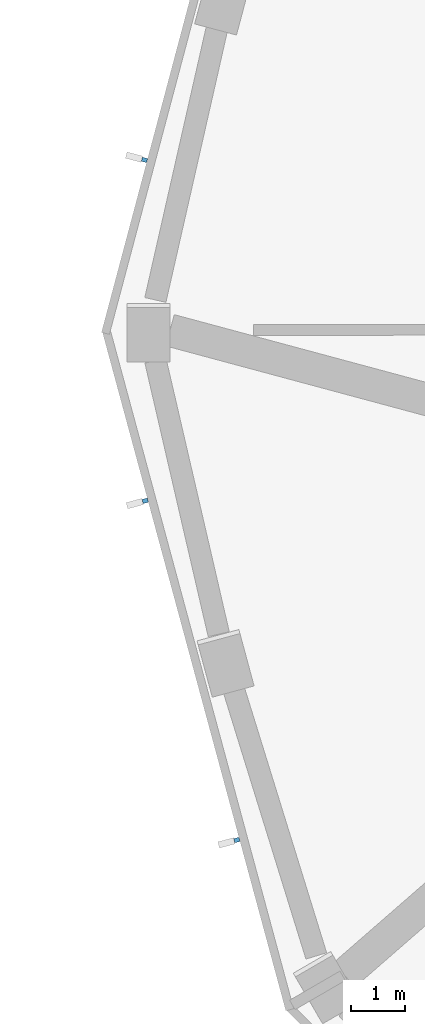
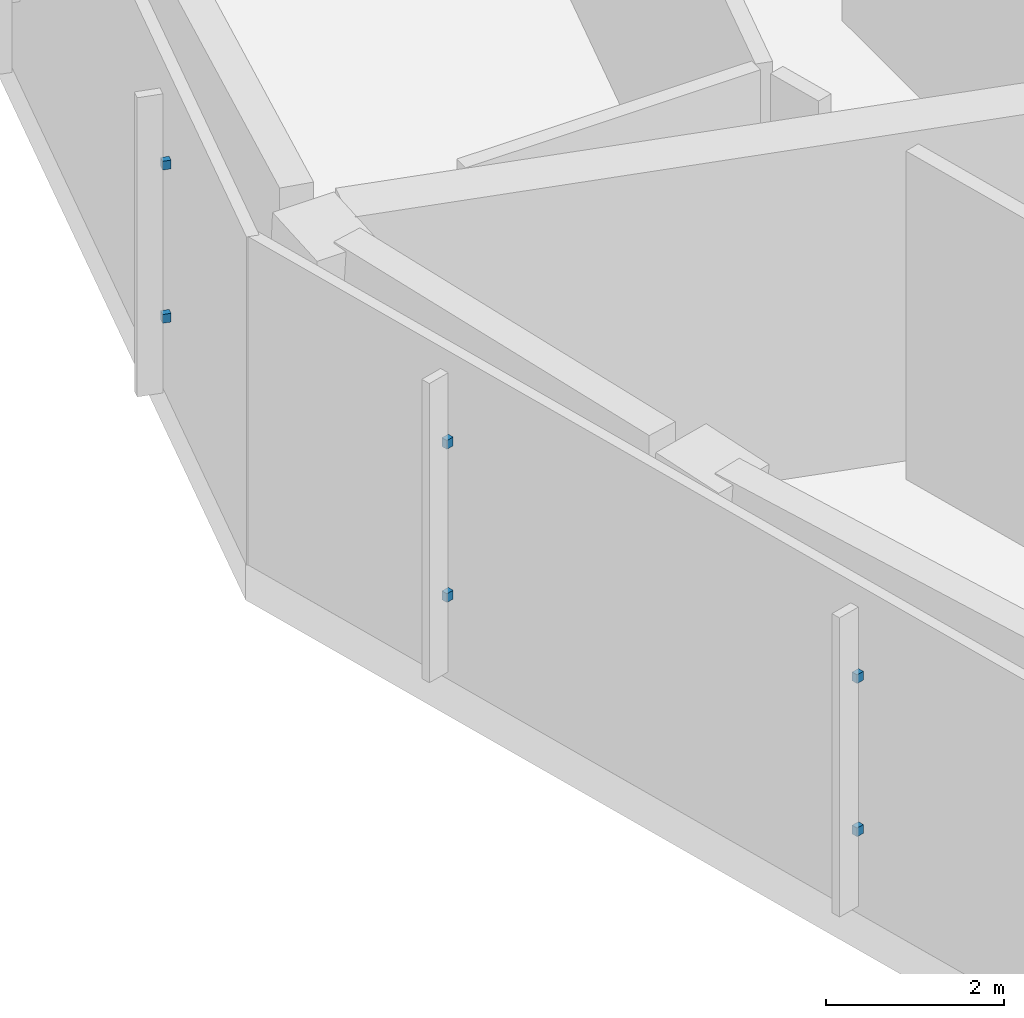
# One storey, part 7 of 16: 6 discrete accessories.
"""IFC4 building model written with IfcOpenShell, lengths in metres."""

from ifc_helpers import new_model, si_unit, direction, frame, origin, origin_2d, place, context, subcontext, project, spatial, rectangle, extrude, element, save


model = new_model("IFC4")

# Units and contexts
model_context = context("Model", 3, precision=1e-05, world=origin(), true_north=direction((0.0, 1.0)))
body_context = subcontext(model_context, "Body", "Model", "MODEL_VIEW")
ifc_project = project(units=[si_unit("LENGTHUNIT", "METRE"), si_unit("AREAUNIT", "SQUARE_METRE"), si_unit("VOLUMEUNIT", "CUBIC_METRE"), si_unit("PLANEANGLEUNIT", "RADIAN"), si_unit("MASSUNIT", "GRAM", prefix="KILO")], contexts=[model_context])

# Site, building, storey
site_placement = place(None, origin())
site = spatial("IfcSite", under=ifc_project, at=site_placement, CompositionType="ELEMENT")
building_placement = place(site_placement, origin())
building = spatial("IfcBuilding", under=site, at=building_placement, Name="Verdalira Terraces Hotel", CompositionType="ELEMENT")
storey_placement = place(building_placement, frame((0.0, 0.0, 216.0)))
storey = spatial("IfcBuildingStorey", under=building, at=storey_placement, Name="L53", CompositionType="ELEMENT", Elevation=216.0)

# Discrete accessories
for number, where, z_axis, x_axis, name in (
    (1, (-24.327637, 3.101318, 1.139893), (0.0, 0.0, 1.0), (-0.256795449, -0.966465777, 0.0), "Fin bracket"),
    (2, (-24.327637, 3.101318, 3.23999), (0.0, 0.0, 1.0), (-0.256795449, -0.966465777, 0.0), "Fin bracket"),
    (3, (-24.314453, -3.203125, 1.139893), (0.0, 0.0, 1.0), (0.260841506, -0.965381639, 0.0), "Fin bracket"),
    (4, (-24.314453, -3.203125, 3.23999), (0.0, 0.0, 1.0), (0.260841506, -0.965381639, 0.0), "Fin bracket"),
    (5, (-22.619141, -9.478027, 1.139893), (0.0, 0.0, 1.0), (0.260841506, -0.965381639, 0.0), "Fin bracket"),
    (6, (-22.619141, -9.478027, 3.23999), (0.0, 0.0, 1.0), (0.260841506, -0.965381639, 0.0), "Fin bracket"),
):
    element("IfcDiscreteAccessory", number, at=place(storey_placement, frame(where, z_axis=z_axis, x_axis=x_axis)), inside=storey, Name=name, PredefinedType="BRACKET", context=body_context, shape_type="SweptSolid", body=[
        extrude(rectangle(XDim=0.080078, YDim=0.100098, at=origin_2d()), origin(), (0.0, 0.0, 1.0), 0.120117),
    ])

save(model, "model.ifc")
